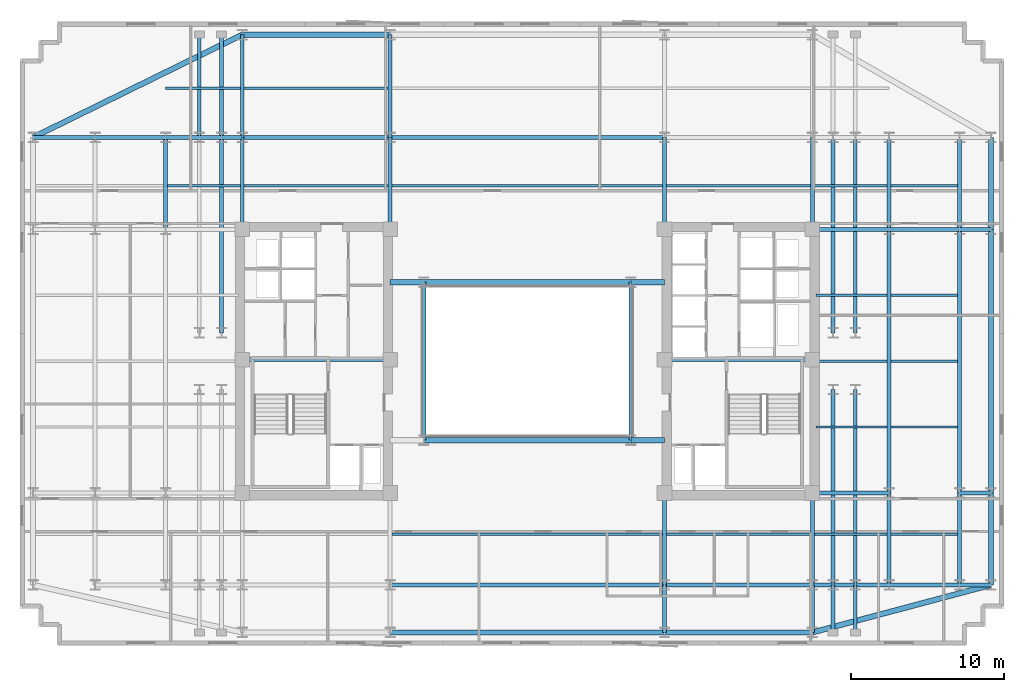
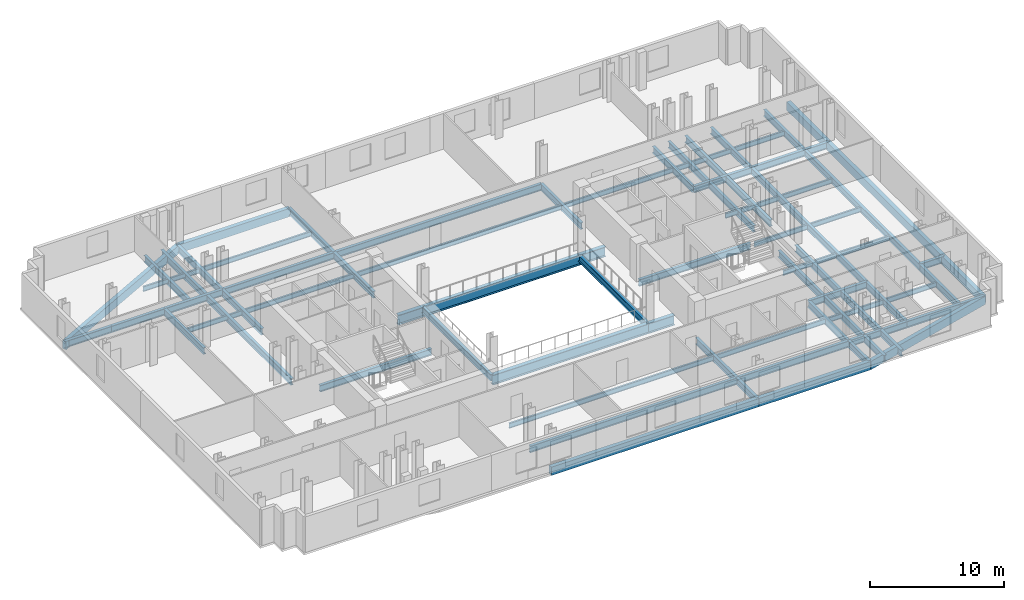
# One storey, part 2 of 9: 76 beams.
"""IFC4 building model written with IfcOpenShell, lengths in metres."""

from ifc_helpers import new_model, si_unit, direction, frame, origin, origin_2d, place, context, subcontext, project, spatial, rectangle, i_section, extrude, material, material_profile, profile_set, type_object, element, save


model = new_model("IFC4")

# Units and contexts
model_context = context("Model", 3, precision=1e-05, world=origin(), true_north=direction((0.0, 1.0)))
body_context = subcontext(model_context, "Body", "Model", "MODEL_VIEW")
ifc_project = project(units=[si_unit("LENGTHUNIT", "METRE"), si_unit("AREAUNIT", "SQUARE_METRE"), si_unit("VOLUMEUNIT", "CUBIC_METRE"), si_unit("PLANEANGLEUNIT", "RADIAN"), si_unit("MASSUNIT", "GRAM", prefix="KILO")], contexts=[model_context])

# Site, building, storey
site_placement = place(None, origin())
site = spatial("IfcSite", under=ifc_project, at=site_placement, CompositionType="ELEMENT")
building_placement = place(site_placement, origin())
building = spatial("IfcBuilding", under=site, at=building_placement, Name="Velakula Bourse", CompositionType="ELEMENT")
storey_placement = place(building_placement, frame((0.0, 0.0, 131.199951171875)))
storey = spatial("IfcBuildingStorey", under=building, at=storey_placement, Name="L35", CompositionType="ELEMENT", Elevation=131.199951171875)

# Beams
ifc_material_1 = material(Name="Steel IS 2062 Grade 350 (E350)", Category="steel")
ifc_material_profile_1 = material_profile(ifc_material_1, i_section(OverallWidth=0.25, OverallDepth=0.60009765625, WebThickness=0.01123046875, FlangeThickness=0.021240234375, at=origin_2d()), Name="Steel IS 2062 Grade 350 (E350)")
ifc_profile_set_1 = profile_set([ifc_material_profile_1], Name="Steel IS 2062 Grade 350 (E350)")
beam_type_1 = type_object("IfcBeamType", Name="BM-GRD-600M", PredefinedType="BEAM", material=ifc_profile_set_1)
for number, where, z_axis, x_axis, name in (
    (1, (-18.60009765625, 0.10009765625, -0.47998046875), (1.0, 0.0, 0.0), (0.0, 1.0, 0.0), "L35 Primary Backbone Girder CRW-M"),
    (2, (8.949951171875, 0.10009765625, -0.47998046875), (1.0, 0.0, 0.0), (0.0, 1.0, 0.0), "L35 Primary Backbone Girder CRE-M"),
):
    element("IfcBeam", number, at=place(storey_placement, frame(where, z_axis=z_axis, x_axis=x_axis)), inside=storey, type_object=beam_type_1, Name=name, PredefinedType="BEAM", context=body_context, shape_type="SweptSolid", body=[
        extrude(i_section(OverallWidth=0.25, OverallDepth=0.60009765625, WebThickness=0.01123046875, FlangeThickness=0.021240234375, at=origin_2d()), origin(), (0.0, 0.0, 1.0), 9.650146484375),
    ])
for number, where, z_axis, x_axis, name in (
    (3, (-6.75, -5.14990234375, -0.47998046875), (0.0, 1.0, 0.0), (-1.0, 0.0, 0.0), "L35 Primary Backbone Girder SPN-W"),
    (4, (6.75, -5.14990234375, -0.47998046875), (0.0, 1.0, 0.0), (-1.0, 0.0, 0.0), "L35 Primary Backbone Girder SPN-E"),
):
    element("IfcBeam", number, at=place(storey_placement, frame(where, z_axis=z_axis, x_axis=x_axis)), inside=storey, type_object=beam_type_1, Name=name, PredefinedType="BEAM", context=body_context, shape_type="SweptSolid", body=[
        extrude(i_section(OverallWidth=0.25, OverallDepth=0.60009765625, WebThickness=0.01123046875, FlangeThickness=0.021240234375, at=origin_2d()), origin(), (0.0, 0.0, 1.0), 10.2998046875),
    ])
for number, where, z_axis, x_axis, name in (
    (5, (-18.60009765625, 8.60009765625, -0.47998046875), (0.0, 1.0, 0.0), (-1.0, 0.0, 0.0), "L35 Fulcrum Grid Girder FLC-WN"),
    (6, (-8.949951171875, 8.60009765625, -0.47998046875), (0.0, 1.0, 0.0), (-1.0, 0.0, 0.0), "L35 Fulcrum Grid Girder FLC-WCN"),
    (7, (8.949951171875, -14.60009765625, -0.47998046875), (0.0, 1.0, 0.0), (-1.0, 0.0, 0.0), "L35 Fulcrum Grid Girder FLC-ECS"),
    (8, (8.949951171875, 8.60009765625, -0.47998046875), (0.0, 1.0, 0.0), (-1.0, 0.0, 0.0), "L35 Fulcrum Grid Girder FLC-ECN"),
    (9, (18.60009765625, -14.60009765625, -0.47998046875), (0.0, 1.0, 0.0), (-1.0, 0.0, 0.0), "L35 Fulcrum Grid Girder FLC-ES"),
    (10, (18.60009765625, 8.60009765625, -0.47998046875), (0.0, 1.0, 0.0), (-1.0, 0.0, 0.0), "L35 Fulcrum Grid Girder FLC-EN"),
):
    element("IfcBeam", number, at=place(storey_placement, frame(where, z_axis=z_axis, x_axis=x_axis)), inside=storey, type_object=beam_type_1, Name=name, PredefinedType="BEAM", context=body_context, shape_type="SweptSolid", body=[
        extrude(i_section(OverallWidth=0.25, OverallDepth=0.60009765625, WebThickness=0.01123046875, FlangeThickness=0.021240234375, at=origin_2d()), origin(), (0.0, 0.0, 1.0), 6.0),
    ])
beam_1_placement = place(storey_placement, frame((-8.949951171875, -14.60009765625, -0.47998046875), z_axis=(1.0, 0.0, 0.0), x_axis=(0.0, 1.0, 0.0)))
element("IfcBeam", 11, at=beam_1_placement, inside=storey, type_object=beam_type_1, Name="L35 Fulcrum Grid Girder FLC-S2", PredefinedType="BEAM", context=body_context, shape_type="SweptSolid", body=[
    extrude(i_section(OverallWidth=0.25, OverallDepth=0.60009765625, WebThickness=0.01123046875, FlangeThickness=0.021240234375, at=origin_2d()), origin(), (0.0, 0.0, 1.0), 17.89990234375),
])
for number, where, z_axis, x_axis, name in (
    (12, (8.949951171875, -14.60009765625, -0.47998046875), (1.0, 0.0, 0.0), (0.0, 1.0, 0.0), "L35 Fulcrum Grid Girder FLC-S3"),
    (13, (-18.60009765625, 14.60009765625, -0.47998046875), (1.0, 0.0, 0.0), (0.0, 1.0, 0.0), "L35 Fulcrum Grid Girder FLC-N1"),
):
    element("IfcBeam", number, at=place(storey_placement, frame(where, z_axis=z_axis, x_axis=x_axis)), inside=storey, type_object=beam_type_1, Name=name, PredefinedType="BEAM", context=body_context, shape_type="SweptSolid", body=[
        extrude(i_section(OverallWidth=0.25, OverallDepth=0.60009765625, WebThickness=0.01123046875, FlangeThickness=0.021240234375, at=origin_2d()), origin(), (0.0, 0.0, 1.0), 9.650146484375),
    ])
beam_2_placement = place(storey_placement, frame((-8.949951171875, 14.60009765625, -0.47998046875), z_axis=(1.0, 0.0, 0.0), x_axis=(0.0, 1.0, 0.0)))
element("IfcBeam", 14, at=beam_2_placement, inside=storey, type_object=beam_type_1, Name="L35 Fulcrum Grid Girder FLC-N2", PredefinedType="BEAM", context=body_context, shape_type="SweptSolid", body=[
    extrude(i_section(OverallWidth=0.25, OverallDepth=0.60009765625, WebThickness=0.01123046875, FlangeThickness=0.021240234375, at=origin_2d()), origin(), (0.0, 0.0, 1.0), 17.89990234375),
])
for number, where, z_axis, x_axis, name in (
    (15, (-19.949951171875, 1.85009765625, -0.47998046875), (0.0, 1.0, 0.0), (-1.0, 0.0, 0.0), "L35 Fulcrum Grid Girder FLC-PNW2"),
    (16, (19.949951171875, -14.60009765625, -0.47998046875), (0.0, 1.0, 0.0), (-1.0, 0.0, 0.0), "L35 Fulcrum Grid Girder FLC-PSE1"),
    (17, (19.949951171875, 1.85009765625, -0.47998046875), (0.0, 1.0, 0.0), (-1.0, 0.0, 0.0), "L35 Fulcrum Grid Girder FLC-PNE1"),
    (18, (21.39990234375, -14.60009765625, -0.47998046875), (0.0, 1.0, 0.0), (-1.0, 0.0, 0.0), "L35 Fulcrum Grid Girder FLC-PSE2"),
    (19, (21.39990234375, 1.85009765625, -0.47998046875), (0.0, 1.0, 0.0), (-1.0, 0.0, 0.0), "L35 Fulcrum Grid Girder FLC-PNE2"),
):
    element("IfcBeam", number, at=place(storey_placement, frame(where, z_axis=z_axis, x_axis=x_axis)), inside=storey, type_object=beam_type_1, Name=name, PredefinedType="BEAM", context=body_context, shape_type="SweptSolid", body=[
        extrude(i_section(OverallWidth=0.25, OverallDepth=0.60009765625, WebThickness=0.01123046875, FlangeThickness=0.021240234375, at=origin_2d()), origin(), (0.0, 0.0, 1.0), 12.75),
    ])
beam_3_placement = place(storey_placement, frame((-23.60009765625, 14.60009765625, -0.47998046875), z_axis=(1.0, 0.0, 0.0), x_axis=(0.0, 1.0, 0.0)))
element("IfcBeam", 20, at=beam_3_placement, inside=storey, type_object=beam_type_1, Name="L35 Fulcrum Grid Girder MWG-WN2", PredefinedType="BEAM", context=body_context, shape_type="SweptSolid", body=[
    extrude(i_section(OverallWidth=0.25, OverallDepth=0.60009765625, WebThickness=0.01123046875, FlangeThickness=0.021240234375, at=origin_2d()), origin(), (0.0, 0.0, 1.0), 5.0),
])
beam_4_placement = place(storey_placement, frame((-23.60009765625, 8.60009765625, -0.47998046875), z_axis=(0.0, 1.0, 0.0), x_axis=(-1.0, 0.0, 0.0)))
element("IfcBeam", 21, at=beam_4_placement, inside=storey, type_object=beam_type_1, Name="L35 Fulcrum Grid Girder MWG-WNS3", PredefinedType="BEAM", context=body_context, shape_type="SweptSolid", body=[
    extrude(i_section(OverallWidth=0.25, OverallDepth=0.60009765625, WebThickness=0.01123046875, FlangeThickness=0.021240234375, at=origin_2d()), origin(), (0.0, 0.0, 1.0), 6.0),
])
for number, where, z_axis, x_axis, name in (
    (22, (18.60009765625, -14.60009765625, -0.47998046875), (1.0, 0.0, 0.0), (0.0, 1.0, 0.0), "L35 Fulcrum Grid Girder MWG-ES1"),
    (23, (18.60009765625, -8.60009765625, -0.47998046875), (1.0, 0.0, 0.0), (0.0, 1.0, 0.0), "L35 Fulcrum Grid Girder MWG-ES2"),
    (24, (18.60009765625, 8.60009765625, -0.47998046875), (1.0, 0.0, 0.0), (0.0, 1.0, 0.0), "L35 Fulcrum Grid Girder MWG-EN1"),
):
    element("IfcBeam", number, at=place(storey_placement, frame(where, z_axis=z_axis, x_axis=x_axis)), inside=storey, type_object=beam_type_1, Name=name, PredefinedType="BEAM", context=body_context, shape_type="SweptSolid", body=[
        extrude(i_section(OverallWidth=0.25, OverallDepth=0.60009765625, WebThickness=0.01123046875, FlangeThickness=0.021240234375, at=origin_2d()), origin(), (0.0, 0.0, 1.0), 5.0),
    ])
beam_5_placement = place(storey_placement, frame((23.60009765625, -14.60009765625, -0.47998046875), z_axis=(0.0, 1.0, 0.0), x_axis=(-1.0, 0.0, 0.0)))
element("IfcBeam", 25, at=beam_5_placement, inside=storey, type_object=beam_type_1, Name="L35 Fulcrum Grid Girder MWG-ENS1", PredefinedType="BEAM", context=body_context, shape_type="SweptSolid", body=[
    extrude(i_section(OverallWidth=0.25, OverallDepth=0.60009765625, WebThickness=0.01123046875, FlangeThickness=0.021240234375, at=origin_2d()), origin(), (0.0, 0.0, 1.0), 6.0),
])
beam_6_placement = place(storey_placement, frame((23.60009765625, -8.60009765625, -0.47998046875), z_axis=(0.0, 1.0, 0.0), x_axis=(-1.0, 0.0, 0.0)))
element("IfcBeam", 26, at=beam_6_placement, inside=storey, type_object=beam_type_1, Name="L35 Fulcrum Grid Girder MWG-ENS2", PredefinedType="BEAM", context=body_context, shape_type="SweptSolid", body=[
    extrude(i_section(OverallWidth=0.25, OverallDepth=0.60009765625, WebThickness=0.01123046875, FlangeThickness=0.021240234375, at=origin_2d()), origin(), (0.0, 0.0, 1.0), 17.2001953125),
])
beam_7_placement = place(storey_placement, frame((23.60009765625, 8.60009765625, -0.47998046875), z_axis=(0.0, 1.0, 0.0), x_axis=(-1.0, 0.0, 0.0)))
element("IfcBeam", 27, at=beam_7_placement, inside=storey, type_object=beam_type_1, Name="L35 Fulcrum Grid Girder MWG-ENS3", PredefinedType="BEAM", context=body_context, shape_type="SweptSolid", body=[
    extrude(i_section(OverallWidth=0.25, OverallDepth=0.60009765625, WebThickness=0.01123046875, FlangeThickness=0.021240234375, at=origin_2d()), origin(), (0.0, 0.0, 1.0), 6.0),
])
for number, where, z_axis, x_axis, name in (
    (28, (-28.199951171875, 14.60009765625, -0.47998046875), (1.0, 0.0, 0.0), (0.0, 1.0, 0.0), "L35 Fulcrum Grid Girder WNG-WN2"),
    (29, (23.60009765625, -14.60009765625, -0.47998046875), (1.0, 0.0, 0.0), (0.0, 1.0, 0.0), "L35 Fulcrum Grid Girder WNG-ES1"),
    (30, (23.60009765625, 8.60009765625, -0.47998046875), (1.0, 0.0, 0.0), (0.0, 1.0, 0.0), "L35 Fulcrum Grid Girder WNG-EN1"),
):
    element("IfcBeam", number, at=place(storey_placement, frame(where, z_axis=z_axis, x_axis=x_axis)), inside=storey, type_object=beam_type_1, Name=name, PredefinedType="BEAM", context=body_context, shape_type="SweptSolid", body=[
        extrude(i_section(OverallWidth=0.25, OverallDepth=0.60009765625, WebThickness=0.01123046875, FlangeThickness=0.021240234375, at=origin_2d()), origin(), (0.0, 0.0, 1.0), 4.599853515625),
    ])
beam_8_placement = place(storey_placement, frame((28.199951171875, -14.60009765625, -0.47998046875), z_axis=(0.0, 1.0, 0.0), x_axis=(-1.0, 0.0, 0.0)))
element("IfcBeam", 31, at=beam_8_placement, inside=storey, type_object=beam_type_1, Name="L35 Fulcrum Grid Girder WNG-ENS1", PredefinedType="BEAM", context=body_context, shape_type="SweptSolid", body=[
    extrude(i_section(OverallWidth=0.25, OverallDepth=0.60009765625, WebThickness=0.01123046875, FlangeThickness=0.021240234375, at=origin_2d()), origin(), (0.0, 0.0, 1.0), 6.0),
])
beam_9_placement = place(storey_placement, frame((28.199951171875, -8.60009765625, -0.47998046875), z_axis=(0.0, 1.0, 0.0), x_axis=(-1.0, 0.0, 0.0)))
element("IfcBeam", 32, at=beam_9_placement, inside=storey, type_object=beam_type_1, Name="L35 Fulcrum Grid Girder WNG-ENS2", PredefinedType="BEAM", context=body_context, shape_type="SweptSolid", body=[
    extrude(i_section(OverallWidth=0.25, OverallDepth=0.60009765625, WebThickness=0.01123046875, FlangeThickness=0.021240234375, at=origin_2d()), origin(), (0.0, 0.0, 1.0), 17.2001953125),
])
beam_10_placement = place(storey_placement, frame((28.199951171875, 8.60009765625, -0.47998046875), z_axis=(0.0, 1.0, 0.0), x_axis=(-1.0, 0.0, 0.0)))
element("IfcBeam", 33, at=beam_10_placement, inside=storey, type_object=beam_type_1, Name="L35 Fulcrum Grid Girder WNG-ENS3", PredefinedType="BEAM", context=body_context, shape_type="SweptSolid", body=[
    extrude(i_section(OverallWidth=0.25, OverallDepth=0.60009765625, WebThickness=0.01123046875, FlangeThickness=0.021240234375, at=origin_2d()), origin(), (0.0, 0.0, 1.0), 6.0),
])
for number, where, z_axis, x_axis, name in (
    (34, (8.949951171875, -14.60009765625, -0.47998046875), (0.0, -1.0, 0.0), (1.0, 0.0, 0.0), "L35 Perimeter Tie Girder S3"),
    (35, (18.60009765625, -14.60009765625, -0.47998046875), (0.0, -1.0, 0.0), (1.0, 0.0, 0.0), "L35 Perimeter Tie Girder S4"),
):
    element("IfcBeam", number, at=place(storey_placement, frame(where, z_axis=z_axis, x_axis=x_axis)), inside=storey, type_object=beam_type_1, Name=name, PredefinedType="BEAM", context=body_context, shape_type="SweptSolid", body=[
        extrude(i_section(OverallWidth=0.25, OverallDepth=0.60009765625, WebThickness=0.01123046875, FlangeThickness=0.021240234375, at=origin_2d()), origin(), (0.0, 0.0, 1.0), 3.099853515625),
    ])
for number, where, z_axis, x_axis, name in (
    (36, (-18.60009765625, 14.60009765625, -0.47998046875), (0.0, 1.0, 0.0), (-1.0, 0.0, 0.0), "L35 Perimeter Tie Girder N1"),
    (37, (-8.949951171875, 14.60009765625, -0.47998046875), (0.0, 1.0, 0.0), (-1.0, 0.0, 0.0), "L35 Perimeter Tie Girder N2"),
):
    element("IfcBeam", number, at=place(storey_placement, frame(where, z_axis=z_axis, x_axis=x_axis)), inside=storey, type_object=beam_type_1, Name=name, PredefinedType="BEAM", context=body_context, shape_type="SweptSolid", body=[
        extrude(i_section(OverallWidth=0.25, OverallDepth=0.60009765625, WebThickness=0.01123046875, FlangeThickness=0.021240234375, at=origin_2d()), origin(), (0.0, 0.0, 1.0), 6.699951171875),
    ])
beam_11_placement = place(storey_placement, frame((-28.199951171875, 14.60009765625, -0.47998046875), z_axis=(-1.0, 0.0, 0.0), x_axis=(0.0, -1.0, 0.0)))
element("IfcBeam", 38, at=beam_11_placement, inside=storey, type_object=beam_type_1, Name="L35 Perimeter Tie Girder W4", PredefinedType="BEAM", context=body_context, shape_type="SweptSolid", body=[
    extrude(i_section(OverallWidth=0.25, OverallDepth=0.60009765625, WebThickness=0.01123046875, FlangeThickness=0.021240234375, at=origin_2d()), origin(), (0.0, 0.0, 1.0), 4.050048828125),
])
for number, where, z_axis, x_axis, name in (
    (39, (28.199951171875, -14.60009765625, -0.47998046875), (1.0, 0.0, 0.0), (0.0, 1.0, 0.0), "L35 Perimeter Tie Girder E1"),
    (40, (28.199951171875, -8.60009765625, -0.47998046875), (1.0, 0.0, 0.0), (0.0, 1.0, 0.0), "L35 Perimeter Tie Girder E2"),
    (41, (28.199951171875, 8.60009765625, -0.47998046875), (1.0, 0.0, 0.0), (0.0, 1.0, 0.0), "L35 Perimeter Tie Girder E3"),
):
    element("IfcBeam", number, at=place(storey_placement, frame(where, z_axis=z_axis, x_axis=x_axis)), inside=storey, type_object=beam_type_1, Name=name, PredefinedType="BEAM", context=body_context, shape_type="SweptSolid", body=[
        extrude(i_section(OverallWidth=0.25, OverallDepth=0.60009765625, WebThickness=0.01123046875, FlangeThickness=0.021240234375, at=origin_2d()), origin(), (0.0, 0.0, 1.0), 2.050048828125),
    ])
for number, where, z_axis, x_axis, name in (
    (42, (19.949951171875, -14.60009765625, -0.47998046875), (0.0, -1.0, 0.0), (1.0, 0.0, 0.0), "L35 Perimeter Tie Girder P03"),
    (43, (21.39990234375, -14.60009765625, -0.47998046875), (0.0, -1.0, 0.0), (1.0, 0.0, 0.0), "L35 Perimeter Tie Girder P04"),
):
    element("IfcBeam", number, at=place(storey_placement, frame(where, z_axis=z_axis, x_axis=x_axis)), inside=storey, type_object=beam_type_1, Name=name, PredefinedType="BEAM", context=body_context, shape_type="SweptSolid", body=[
        extrude(i_section(OverallWidth=0.25, OverallDepth=0.60009765625, WebThickness=0.01123046875, FlangeThickness=0.021240234375, at=origin_2d()), origin(), (0.0, 0.0, 1.0), 3.099853515625),
    ])
for number, where, z_axis, x_axis, name in (
    (44, (-21.39990234375, 14.60009765625, -0.47998046875), (0.0, 1.0, 0.0), (-1.0, 0.0, 0.0), "L35 Perimeter Tie Girder P05"),
    (45, (-19.949951171875, 14.60009765625, -0.47998046875), (0.0, 1.0, 0.0), (-1.0, 0.0, 0.0), "L35 Perimeter Tie Girder P06"),
):
    element("IfcBeam", number, at=place(storey_placement, frame(where, z_axis=z_axis, x_axis=x_axis)), inside=storey, type_object=beam_type_1, Name=name, PredefinedType="BEAM", context=body_context, shape_type="SweptSolid", body=[
        extrude(i_section(OverallWidth=0.25, OverallDepth=0.60009765625, WebThickness=0.01123046875, FlangeThickness=0.021240234375, at=origin_2d()), origin(), (0.0, 0.0, 1.0), 6.699951171875),
    ])
ifc_material_profile_2 = material_profile(ifc_material_1, i_section(OverallWidth=0.35009765625, OverallDepth=0.89990234375, WebThickness=0.02001953125, FlangeThickness=0.031982421875, at=origin_2d()), Name="Steel IS 2062 Grade 350 (E350)")
ifc_profile_set_2 = profile_set([ifc_material_profile_2], Name="Steel IS 2062 Grade 350 (E350)")
beam_type_2 = type_object("IfcBeamType", Name="BM-LNK-900", PredefinedType="BEAM", material=ifc_profile_set_2)
beam_12_placement = place(storey_placement, frame((-6.75, -5.14990234375, -0.6298828125), z_axis=(1.0, 0.0, 0.0), x_axis=(0.0, 1.0, 0.0)))
element("IfcBeam", 46, at=beam_12_placement, inside=storey, type_object=beam_type_2, Name="L35 Primary Backbone Girder LNK-S2", PredefinedType="BEAM", context=body_context, shape_type="SweptSolid", body=[
    extrude(i_section(OverallWidth=0.35009765625, OverallDepth=0.89990234375, WebThickness=0.02001953125, FlangeThickness=0.031982421875, at=origin_2d()), origin(), (0.0, 0.0, 1.0), 13.5),
])
for number, where, z_axis, x_axis, name in (
    (47, (6.75, -5.14990234375, -0.6298828125), (1.0, 0.0, 0.0), (0.0, 1.0, 0.0), "L35 Primary Backbone Girder LNK-S3"),
    (48, (-8.949951171875, 5.14990234375, -0.6298828125), (1.0, 0.0, 0.0), (0.0, 1.0, 0.0), "L35 Primary Backbone Girder LNK-N1"),
):
    element("IfcBeam", number, at=place(storey_placement, frame(where, z_axis=z_axis, x_axis=x_axis)), inside=storey, type_object=beam_type_2, Name=name, PredefinedType="BEAM", context=body_context, shape_type="SweptSolid", body=[
        extrude(i_section(OverallWidth=0.35009765625, OverallDepth=0.89990234375, WebThickness=0.02001953125, FlangeThickness=0.031982421875, at=origin_2d()), origin(), (0.0, 0.0, 1.0), 2.199951171875),
    ])
beam_13_placement = place(storey_placement, frame((-6.75, 5.14990234375, -0.6298828125), z_axis=(1.0, 0.0, 0.0), x_axis=(0.0, 1.0, 0.0)))
element("IfcBeam", 49, at=beam_13_placement, inside=storey, type_object=beam_type_2, Name="L35 Primary Backbone Girder LNK-N2", PredefinedType="BEAM", context=body_context, shape_type="SweptSolid", body=[
    extrude(i_section(OverallWidth=0.35009765625, OverallDepth=0.89990234375, WebThickness=0.02001953125, FlangeThickness=0.031982421875, at=origin_2d()), origin(), (0.0, 0.0, 1.0), 13.5),
])
beam_14_placement = place(storey_placement, frame((6.75, 5.14990234375, -0.6298828125), z_axis=(1.0, 0.0, 0.0), x_axis=(0.0, 1.0, 0.0)))
element("IfcBeam", 50, at=beam_14_placement, inside=storey, type_object=beam_type_2, Name="L35 Primary Backbone Girder LNK-N3", PredefinedType="BEAM", context=body_context, shape_type="SweptSolid", body=[
    extrude(i_section(OverallWidth=0.35009765625, OverallDepth=0.89990234375, WebThickness=0.02001953125, FlangeThickness=0.031982421875, at=origin_2d()), origin(), (0.0, 0.0, 1.0), 2.199951171875),
])
ifc_material_profile_3 = material_profile(ifc_material_1, i_section(OverallWidth=0.14990234375, OverallDepth=0.449951171875, WebThickness=0.009521484375, FlangeThickness=0.017333984375, at=origin_2d()), Name="Steel IS 2062 Grade 350 (E350)")
ifc_profile_set_3 = profile_set([ifc_material_profile_3], Name="Steel IS 2062 Grade 350 (E350)")
beam_type_3 = type_object("IfcBeamType", Name="JST-TWR-450", PredefinedType="JOIST", material=ifc_profile_set_3)
beam_15_placement = place(storey_placement, frame((-8.824951171875, -11.300048828125, -0.405029296875), z_axis=(1.0, 0.0, 0.0), x_axis=(0.0, 1.0, 0.0)))
element("IfcBeam", 51, at=beam_15_placement, inside=storey, type_object=beam_type_3, Name="L35 Trading Floor Composite Joist 05", PredefinedType="JOIST", context=body_context, shape_type="SweptSolid", body=[
    extrude(i_section(OverallWidth=0.14990234375, OverallDepth=0.449951171875, WebThickness=0.009521484375, FlangeThickness=0.017333984375, at=origin_2d()), origin(), (0.0, 0.0, 1.0), 17.64990234375),
])
beam_16_placement = place(storey_placement, frame((9.074951171875, -11.300048828125, -0.405029296875), z_axis=(1.0, 0.0, 0.0), x_axis=(0.0, 1.0, 0.0)))
element("IfcBeam", 52, at=beam_16_placement, inside=storey, type_object=beam_type_3, Name="L35 Trading Floor Composite Joist 06", PredefinedType="JOIST", context=body_context, shape_type="SweptSolid", body=[
    extrude(i_section(OverallWidth=0.14990234375, OverallDepth=0.449951171875, WebThickness=0.009521484375, FlangeThickness=0.017333984375, at=origin_2d()), origin(), (0.0, 0.0, 1.0), 9.400146484375),
])
beam_17_placement = place(storey_placement, frame((18.72509765625, -11.300048828125, -0.405029296875), z_axis=(1.0, 0.0, 0.0), x_axis=(0.0, 1.0, 0.0)))
element("IfcBeam", 53, at=beam_17_placement, inside=storey, type_object=beam_type_3, Name="L35 Trading Floor Composite Joist 07", PredefinedType="JOIST", context=body_context, shape_type="SweptSolid", body=[
    extrude(i_section(OverallWidth=0.14990234375, OverallDepth=0.449951171875, WebThickness=0.009521484375, FlangeThickness=0.017333984375, at=origin_2d()), origin(), (0.0, 0.0, 1.0), 4.75),
])
beam_18_placement = place(storey_placement, frame((23.72509765625, -11.300048828125, -0.405029296875), z_axis=(1.0, 0.0, 0.0), x_axis=(0.0, 1.0, 0.0)))
element("IfcBeam", 54, at=beam_18_placement, inside=storey, type_object=beam_type_3, Name="L35 Trading Floor Composite Joist 08", PredefinedType="JOIST", context=body_context, shape_type="SweptSolid", body=[
    extrude(i_section(OverallWidth=0.14990234375, OverallDepth=0.449951171875, WebThickness=0.009521484375, FlangeThickness=0.017333984375, at=origin_2d()), origin(), (0.0, 0.0, 1.0), 4.349853515625),
])
beam_19_placement = place(storey_placement, frame((-23.47509765625, 11.449951171875, -0.405029296875), z_axis=(1.0, 0.0, 0.0), x_axis=(0.0, 1.0, 0.0)))
element("IfcBeam", 55, at=beam_19_placement, inside=storey, type_object=beam_type_3, Name="L35 Trading Floor Composite Joist 11", PredefinedType="JOIST", context=body_context, shape_type="SweptSolid", body=[
    extrude(i_section(OverallWidth=0.14990234375, OverallDepth=0.449951171875, WebThickness=0.009521484375, FlangeThickness=0.017333984375, at=origin_2d()), origin(), (0.0, 0.0, 1.0), 4.75),
])
beam_20_placement = place(storey_placement, frame((-18.47509765625, 11.449951171875, -0.405029296875), z_axis=(1.0, 0.0, 0.0), x_axis=(0.0, 1.0, 0.0)))
element("IfcBeam", 56, at=beam_20_placement, inside=storey, type_object=beam_type_3, Name="L35 Trading Floor Composite Joist 12", PredefinedType="JOIST", context=body_context, shape_type="SweptSolid", body=[
    extrude(i_section(OverallWidth=0.14990234375, OverallDepth=0.449951171875, WebThickness=0.009521484375, FlangeThickness=0.017333984375, at=origin_2d()), origin(), (0.0, 0.0, 1.0), 9.400146484375),
])
beam_21_placement = place(storey_placement, frame((-8.824951171875, 11.449951171875, -0.405029296875), z_axis=(1.0, 0.0, 0.0), x_axis=(0.0, 1.0, 0.0)))
element("IfcBeam", 57, at=beam_21_placement, inside=storey, type_object=beam_type_3, Name="L35 Trading Floor Composite Joist 13", PredefinedType="JOIST", context=body_context, shape_type="SweptSolid", body=[
    extrude(i_section(OverallWidth=0.14990234375, OverallDepth=0.449951171875, WebThickness=0.009521484375, FlangeThickness=0.017333984375, at=origin_2d()), origin(), (0.0, 0.0, 1.0), 17.64990234375),
])
beam_22_placement = place(storey_placement, frame((9.074951171875, 11.449951171875, -0.405029296875), z_axis=(1.0, 0.0, 0.0), x_axis=(0.0, 1.0, 0.0)))
element("IfcBeam", 58, at=beam_22_placement, inside=storey, type_object=beam_type_3, Name="L35 Trading Floor Composite Joist 14", PredefinedType="JOIST", context=body_context, shape_type="SweptSolid", body=[
    extrude(i_section(OverallWidth=0.14990234375, OverallDepth=0.449951171875, WebThickness=0.009521484375, FlangeThickness=0.017333984375, at=origin_2d()), origin(), (0.0, 0.0, 1.0), 9.400146484375),
])
beam_23_placement = place(storey_placement, frame((18.72509765625, 11.449951171875, -0.405029296875), z_axis=(1.0, 0.0, 0.0), x_axis=(0.0, 1.0, 0.0)))
element("IfcBeam", 59, at=beam_23_placement, inside=storey, type_object=beam_type_3, Name="L35 Trading Floor Composite Joist 15", PredefinedType="JOIST", context=body_context, shape_type="SweptSolid", body=[
    extrude(i_section(OverallWidth=0.14990234375, OverallDepth=0.449951171875, WebThickness=0.009521484375, FlangeThickness=0.017333984375, at=origin_2d()), origin(), (0.0, 0.0, 1.0), 4.75),
])
beam_24_placement = place(storey_placement, frame((23.72509765625, 11.449951171875, -0.405029296875), z_axis=(1.0, 0.0, 0.0), x_axis=(0.0, 1.0, 0.0)))
element("IfcBeam", 60, at=beam_24_placement, inside=storey, type_object=beam_type_3, Name="L35 Trading Floor Composite Joist 16", PredefinedType="JOIST", context=body_context, shape_type="SweptSolid", body=[
    extrude(i_section(OverallWidth=0.14990234375, OverallDepth=0.449951171875, WebThickness=0.009521484375, FlangeThickness=0.017333984375, at=origin_2d()), origin(), (0.0, 0.0, 1.0), 4.349853515625),
])
beam_25_placement = place(storey_placement, frame((-23.60009765625, 17.800048828125, -0.405029296875), z_axis=(1.0, 0.0, 0.0), x_axis=(0.0, 1.0, 0.0)))
element("IfcBeam", 61, at=beam_25_placement, inside=storey, type_object=beam_type_3, Name="L35 Trading Floor Composite Joist 17", PredefinedType="JOIST", context=body_context, shape_type="SweptSolid", body=[
    extrude(i_section(OverallWidth=0.14990234375, OverallDepth=0.449951171875, WebThickness=0.009521484375, FlangeThickness=0.017333984375, at=origin_2d()), origin(), (0.0, 0.0, 1.0), 4.875),
])
beam_26_placement = place(storey_placement, frame((-18.47509765625, 17.800048828125, -0.405029296875), z_axis=(1.0, 0.0, 0.0), x_axis=(0.0, 1.0, 0.0)))
element("IfcBeam", 62, at=beam_26_placement, inside=storey, type_object=beam_type_3, Name="L35 Trading Floor Composite Joist 18", PredefinedType="JOIST", context=body_context, shape_type="SweptSolid", body=[
    extrude(i_section(OverallWidth=0.14990234375, OverallDepth=0.449951171875, WebThickness=0.009521484375, FlangeThickness=0.017333984375, at=origin_2d()), origin(), (0.0, 0.0, 1.0), 9.400146484375),
])
beam_27_placement = place(storey_placement, frame((18.85009765625, -4.300048828125, -0.405029296875), z_axis=(1.0, 0.0, 0.0), x_axis=(0.0, 1.0, 0.0)))
element("IfcBeam", 63, at=beam_27_placement, inside=storey, type_object=beam_type_3, Name="L35 Trading Floor Composite Joist 28", PredefinedType="JOIST", context=body_context, shape_type="SweptSolid", body=[
    extrude(i_section(OverallWidth=0.14990234375, OverallDepth=0.449951171875, WebThickness=0.009521484375, FlangeThickness=0.017333984375, at=origin_2d()), origin(), (0.0, 0.0, 1.0), 4.625),
])
beam_28_placement = place(storey_placement, frame((23.72509765625, -4.300048828125, -0.405029296875), z_axis=(1.0, 0.0, 0.0), x_axis=(0.0, 1.0, 0.0)))
element("IfcBeam", 64, at=beam_28_placement, inside=storey, type_object=beam_type_3, Name="L35 Trading Floor Composite Joist 29", PredefinedType="JOIST", context=body_context, shape_type="SweptSolid", body=[
    extrude(i_section(OverallWidth=0.14990234375, OverallDepth=0.449951171875, WebThickness=0.009521484375, FlangeThickness=0.017333984375, at=origin_2d()), origin(), (0.0, 0.0, 1.0), 4.349853515625),
])
beam_29_placement = place(storey_placement, frame((18.85009765625, 0.0, -0.405029296875), z_axis=(1.0, 0.0, 0.0), x_axis=(0.0, 1.0, 0.0)))
element("IfcBeam", 65, at=beam_29_placement, inside=storey, type_object=beam_type_3, Name="L35 Trading Floor Composite Joist 33", PredefinedType="JOIST", context=body_context, shape_type="SweptSolid", body=[
    extrude(i_section(OverallWidth=0.14990234375, OverallDepth=0.449951171875, WebThickness=0.009521484375, FlangeThickness=0.017333984375, at=origin_2d()), origin(), (0.0, 0.0, 1.0), 4.625),
])
beam_30_placement = place(storey_placement, frame((23.72509765625, 0.0, -0.405029296875), z_axis=(1.0, 0.0, 0.0), x_axis=(0.0, 1.0, 0.0)))
element("IfcBeam", 66, at=beam_30_placement, inside=storey, type_object=beam_type_3, Name="L35 Trading Floor Composite Joist 34", PredefinedType="JOIST", context=body_context, shape_type="SweptSolid", body=[
    extrude(i_section(OverallWidth=0.14990234375, OverallDepth=0.449951171875, WebThickness=0.009521484375, FlangeThickness=0.017333984375, at=origin_2d()), origin(), (0.0, 0.0, 1.0), 4.349853515625),
])
beam_31_placement = place(storey_placement, frame((18.85009765625, 4.300048828125, -0.405029296875), z_axis=(1.0, 0.0, 0.0), x_axis=(0.0, 1.0, 0.0)))
element("IfcBeam", 67, at=beam_31_placement, inside=storey, type_object=beam_type_3, Name="L35 Trading Floor Composite Joist 38", PredefinedType="JOIST", context=body_context, shape_type="SweptSolid", body=[
    extrude(i_section(OverallWidth=0.14990234375, OverallDepth=0.449951171875, WebThickness=0.009521484375, FlangeThickness=0.017333984375, at=origin_2d()), origin(), (0.0, 0.0, 1.0), 4.625),
])
beam_32_placement = place(storey_placement, frame((23.72509765625, 4.300048828125, -0.405029296875), z_axis=(1.0, 0.0, 0.0), x_axis=(0.0, 1.0, 0.0)))
element("IfcBeam", 68, at=beam_32_placement, inside=storey, type_object=beam_type_3, Name="L35 Trading Floor Composite Joist 39", PredefinedType="JOIST", context=body_context, shape_type="SweptSolid", body=[
    extrude(i_section(OverallWidth=0.14990234375, OverallDepth=0.449951171875, WebThickness=0.009521484375, FlangeThickness=0.017333984375, at=origin_2d()), origin(), (0.0, 0.0, 1.0), 4.349853515625),
])
ifc_material_2 = material(Name="Precast concrete M45 (fck 45 MPa)", Category="concrete")
ifc_material_profile_4 = material_profile(ifc_material_2, rectangle(XDim=0.35009765625, YDim=0.75, at=origin_2d()), Name="Precast concrete M45 (fck 45 MPa)")
ifc_profile_set_4 = profile_set([ifc_material_profile_4], Name="Precast concrete M45 (fck 45 MPa)")
beam_type_4 = type_object("IfcBeamType", Name="SPN-BRICK-750", PredefinedType="SPANDREL", material=ifc_profile_set_4)
beam_33_placement = place(storey_placement, frame((-8.949951171875, -17.699951171875, -0.554931640625), z_axis=(1.0, 0.0, 0.0), x_axis=(0.0, 1.0, 0.0)))
element("IfcBeam", 69, at=beam_33_placement, inside=storey, type_object=beam_type_4, Name="L35 Brick-Faced Precast Spandrel S2-S3", PredefinedType="SPANDREL", context=body_context, shape_type="SweptSolid", body=[
    extrude(rectangle(XDim=0.35009765625, YDim=0.75, at=origin_2d()), origin(), (0.0, 0.0, 1.0), 17.89990234375),
])
for number, where, z_axis, x_axis, name in (
    (70, (8.949951171875, -17.699951171875, -0.554931640625), (1.0, 0.0, 0.0), (0.0, 1.0, 0.0), "L35 Brick-Faced Precast Spandrel S3-S4"),
    (71, (-18.60009765625, 21.300048828125, -0.554931640625), (1.0, 0.0, 0.0), (0.0, 1.0, 0.0), "L35 Brick-Faced Precast Spandrel N1-N2"),
):
    element("IfcBeam", number, at=place(storey_placement, frame(where, z_axis=z_axis, x_axis=x_axis)), inside=storey, type_object=beam_type_4, Name=name, PredefinedType="SPANDREL", context=body_context, shape_type="SweptSolid", body=[
        extrude(rectangle(XDim=0.35009765625, YDim=0.75, at=origin_2d()), origin(), (0.0, 0.0, 1.0), 9.650146484375),
    ])
beam_34_placement = place(storey_placement, frame((30.25, -14.60009765625, -0.554931640625), z_axis=(0.0, 1.0, 0.0), x_axis=(-1.0, 0.0, 0.0)))
element("IfcBeam", 72, at=beam_34_placement, inside=storey, type_object=beam_type_4, Name="L35 Brick-Faced Precast Spandrel E1-E2", PredefinedType="SPANDREL", context=body_context, shape_type="SweptSolid", body=[
    extrude(rectangle(XDim=0.35009765625, YDim=0.75, at=origin_2d()), origin(), (0.0, 0.0, 1.0), 6.0),
])
beam_35_placement = place(storey_placement, frame((30.25, -8.60009765625, -0.554931640625), z_axis=(0.0, 1.0, 0.0), x_axis=(-1.0, 0.0, 0.0)))
element("IfcBeam", 73, at=beam_35_placement, inside=storey, type_object=beam_type_4, Name="L35 Brick-Faced Precast Spandrel E2-E3", PredefinedType="SPANDREL", context=body_context, shape_type="SweptSolid", body=[
    extrude(rectangle(XDim=0.35009765625, YDim=0.75, at=origin_2d()), origin(), (0.0, 0.0, 1.0), 17.2001953125),
])
beam_36_placement = place(storey_placement, frame((30.25, 8.60009765625, -0.554931640625), z_axis=(0.0, 1.0, 0.0), x_axis=(-1.0, 0.0, 0.0)))
element("IfcBeam", 74, at=beam_36_placement, inside=storey, type_object=beam_type_4, Name="L35 Brick-Faced Precast Spandrel E3-E4", PredefinedType="SPANDREL", context=body_context, shape_type="SweptSolid", body=[
    extrude(rectangle(XDim=0.35009765625, YDim=0.75, at=origin_2d()), origin(), (0.0, 0.0, 1.0), 6.0),
])
beam_37_placement = place(storey_placement, frame((18.60009765625, -17.699951171875, -0.554931640625), z_axis=(0.966374962557, 0.257136990226, 0.0), x_axis=(-0.257136990226, 0.966374962557, 0.0)))
element("IfcBeam", 75, at=beam_37_placement, inside=storey, type_object=beam_type_4, Name="L35 Brick-Faced Precast Spandrel S4-E1", PredefinedType="SPANDREL", context=body_context, shape_type="SweptSolid", body=[
    extrude(rectangle(XDim=0.35009765625, YDim=0.75, at=origin_2d()), origin(), (0.0, 0.0, 1.0), 12.05517578125),
])
beam_38_placement = place(storey_placement, frame((-18.60009765625, 21.300048828125, -0.554931640625), z_axis=(-0.897691282679, -0.440624966385, 0.0), x_axis=(0.440624966385, -0.897691282679, 0.0)))
element("IfcBeam", 76, at=beam_38_placement, inside=storey, type_object=beam_type_4, Name="L35 Brick-Faced Precast Spandrel N1-W4", PredefinedType="SPANDREL", context=body_context, shape_type="SweptSolid", body=[
    extrude(rectangle(XDim=0.35009765625, YDim=0.75, at=origin_2d()), origin(), (0.0, 0.0, 1.0), 15.20556640625),
])

save(model, "model.ifc")
